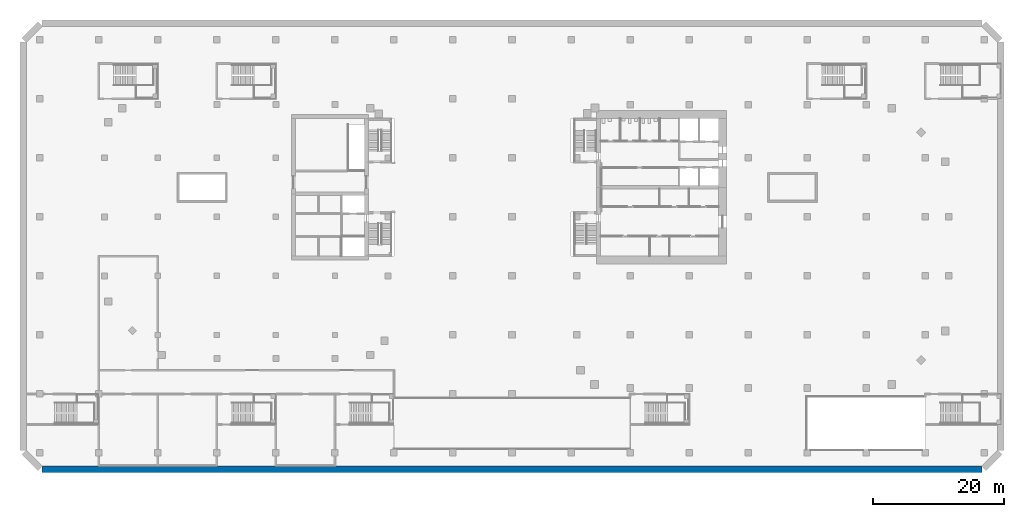
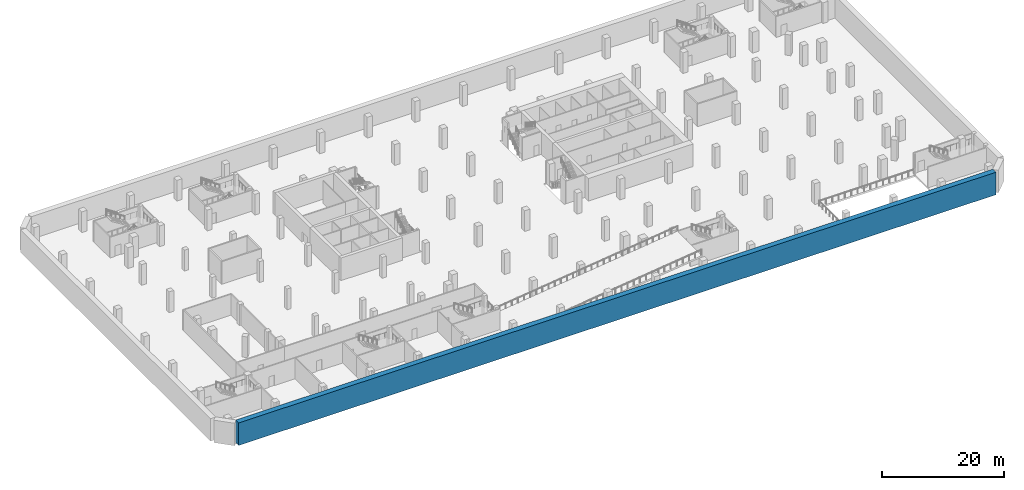
# One storey, part 6 of 16: 1 wall.
"""IFC4 building model written with IfcOpenShell, lengths in metres."""

import ifcopenshell
import ifcopenshell.guid

model = None  # the IFC model being written
_history = None  # IfcOwnerHistory: only IFC2X3 demands one
_inside = {}  # id of a spatial element -> (the spatial element, [elements in it])
_under = {}  # id of a project, library or spatial element -> (it, [spatial elements below it])
_declared = {}  # id of a project -> (the project, [libraries it declares])
_typed = {}  # id of a type object -> (the type object, [elements of that type])
_made_of = {}  # id of a material, layer set ... -> (it, [elements and type objects made of it])


def new_model(schema):
    """Start an empty IFC model of exactly this schema.

    Asked for "IFC4X3", IfcOpenShell would pick the latest addendum, in which some entities
    have other attributes; the version numbers below select the first issue.
    IFC2X3 requires an IfcOwnerHistory on every rooted entity: one is made here for all.
    """
    global model, _history
    if schema == "IFC4X3":
        model = ifcopenshell.file(schema_version=(4, 3, 0, 0))
    else:
        model = ifcopenshell.file(schema=schema)
    _inside.clear()
    _under.clear()
    _declared.clear()
    _typed.clear()
    _made_of.clear()
    _history = None
    if model.schema == "IFC2X3":
        org = make("IfcOrganization", Name="unknown")
        user = make(
            "IfcPersonAndOrganization",
            ThePerson=make("IfcPerson", FamilyName="unknown"),
            TheOrganization=org,
        )
        app = make(
            "IfcApplication",
            ApplicationDeveloper=org,
            Version="unknown",
            ApplicationFullName="unknown",
            ApplicationIdentifier="unknown",
        )
        _history = make(
            "IfcOwnerHistory",
            OwningUser=user,
            OwningApplication=app,
            ChangeAction="ADDED",
            CreationDate=0,
        )
    return model


def make(cls, **values):
    """One entity of the class cls with the attributes given. An attribute that is None is left unset."""
    return model.create_entity(
        cls, **{name: value for name, value in values.items() if value is not None}
    )


def rooted(cls, **values):
    """An entity with a GlobalId (a new one), such as an element, a storey or a relation."""
    return make(cls, GlobalId=ifcopenshell.guid.new(), OwnerHistory=_history, **values)


def si_unit(unit_type, name, prefix=None):
    """IfcSIUnit, for example si_unit("LENGTHUNIT", "METRE", prefix="MILLI")."""
    return make("IfcSIUnit", UnitType=unit_type, Prefix=prefix, Name=name)


def assignment(units):
    """IfcUnitAssignment: the units of a project."""
    return None if units is None else make("IfcUnitAssignment", Units=units)


def point(xyz):
    """IfcCartesianPoint."""
    return None if xyz is None else make("IfcCartesianPoint", Coordinates=xyz)


def direction(xyz):
    """IfcDirection."""
    return None if xyz is None else make("IfcDirection", DirectionRatios=xyz)


def frame(location, z_axis=None, x_axis=None):
    """IfcAxis2Placement3D, a coordinate frame: its origin and axes. An axis left out is left unset."""
    return make(
        "IfcAxis2Placement3D",
        Location=point(location),
        Axis=direction(z_axis),
        RefDirection=direction(x_axis),
    )


def frame_2d(location, x_axis=None):
    """IfcAxis2Placement2D, a coordinate frame in the plane: its origin and x axis."""
    return make(
        "IfcAxis2Placement2D", Location=point(location), RefDirection=direction(x_axis)
    )


def origin():
    """The frame at (0, 0, 0) with its axes left unset."""
    return frame((0.0, 0.0, 0.0))


def place(relative_to, where):
    """IfcLocalPlacement: puts the frame where relative to a parent placement (None: the world)."""
    return make(
        "IfcLocalPlacement", PlacementRelTo=relative_to, RelativePlacement=where
    )


def context(
    kind, dimensions, precision=None, world=None, true_north=None, identifier=None
):
    """IfcGeometricRepresentationContext, for example the 3D "Model" context."""
    return make(
        "IfcGeometricRepresentationContext",
        ContextIdentifier=identifier,
        ContextType=kind,
        CoordinateSpaceDimension=dimensions,
        Precision=precision,
        WorldCoordinateSystem=world,
        TrueNorth=true_north,
    )


def subcontext(parent, identifier, kind, view, scale=None):
    """IfcGeometricRepresentationSubContext, for example "Body" below "Model"."""
    return make(
        "IfcGeometricRepresentationSubContext",
        ContextIdentifier=identifier,
        ContextType=kind,
        ParentContext=parent,
        TargetScale=scale,
        TargetView=view,
    )


def project(units=None, contexts=None):
    """IfcProject with its units and contexts."""
    return rooted(
        "IfcProject",
        Name="project",
        RepresentationContexts=contexts,
        UnitsInContext=assignment(units),
    )


def spatial(cls, under=None, at=None, **own):
    """A site, building, storey or space (cls), placed at a placement, below another one or the project."""
    s = rooted(cls, ObjectPlacement=at, **own)
    if under is not None:
        _under.setdefault(under.id(), (under, []))[1].append(s)
    return s


def profile(cls, at=None, kind="AREA", **sizes):
    """A parametric profile (cls). Its sizes go by their IFC names, for example OverallWidth=200.0."""
    return make(cls, ProfileType=kind, Position=at, **sizes)


def rectangle(**sizes):
    """IfcRectangleProfileDef."""
    return profile("IfcRectangleProfileDef", **sizes)


def extrude(swept, where, along, depth):
    """IfcExtrudedAreaSolid: the profile swept, set in the frame where, extruded along a direction by depth."""
    return make(
        "IfcExtrudedAreaSolid",
        SweptArea=swept,
        Position=where,
        ExtrudedDirection=direction(along),
        Depth=depth,
    )


def shape(context_of_items, identifier, shape_type, items):
    """IfcShapeRepresentation: the items that make up one representation, for example the "Body"."""
    return make(
        "IfcShapeRepresentation",
        ContextOfItems=context_of_items,
        RepresentationIdentifier=identifier,
        RepresentationType=shape_type,
        Items=items,
    )


def material(Name=None, Category=None):
    """IfcMaterial."""
    return make("IfcMaterial", Name=Name, Category=Category)


def layer(
    of_material, thickness, ventilated=None, Name=None, Category=None, Priority=None
):
    """IfcMaterialLayer: one layer of a wall or slab, of a material (None: an air gap)."""
    return make(
        "IfcMaterialLayer",
        Material=of_material,
        LayerThickness=thickness,
        IsVentilated=ventilated,
        Name=Name,
        Category=Category,
        Priority=Priority,
    )


def layer_set(layers, Name=None):
    """IfcMaterialLayerSet."""
    return make("IfcMaterialLayerSet", MaterialLayers=layers, LayerSetName=Name)


def made_of(thing, what):
    """Note that an element or type object is made of a material, layer set ...; save() writes the relation."""
    if what is not None:
        _made_of.setdefault(what.id(), (what, []))[1].append(thing)
    return thing


def type_object(cls, material=None, **own):
    """A type object (cls), such as IfcWallType, which elements share."""
    return made_of(rooted(cls, **own), material)


def element(
    cls,
    number,
    at=None,
    inside=None,
    cuts=None,
    type_object=None,
    material=None,
    context=None,
    identifier="Body",
    shape_type=None,
    held_by="IfcProductDefinitionShape",
    body=None,
    shapes=None,
    **own,
):
    """One element of the class cls, such as IfcWall. Its Tag is "e" and its number.

    at: its placement. inside: the storey or other place that contains it. cuts: it is an
    opening in that element (IfcRelVoidsElement). A single representation is given by context,
    identifier, shape_type and body (its items); several are given by shapes. held_by: the class
    of the entity that holds the representations. save() writes the other relations.
    """
    e = rooted(cls, Tag="e%d" % number, ObjectPlacement=at, **own)
    if body is not None:
        shapes = [shape(context, identifier, shape_type, body)]
    if shapes is not None:
        e.Representation = make(held_by, Representations=shapes)
    if inside is not None:
        _inside.setdefault(inside.id(), (inside, []))[1].append(e)
    if cuts is not None:
        rooted(
            "IfcRelVoidsElement", RelatingBuildingElement=cuts, RelatedOpeningElement=e
        )
    if type_object is not None:
        _typed.setdefault(type_object.id(), (type_object, []))[1].append(e)
    return made_of(e, material)


def aggregate(whole, parts):
    """IfcRelAggregates: a whole, such as a stair, and the parts it consists of."""
    return rooted("IfcRelAggregates", RelatingObject=whole, RelatedObjects=parts)


def save(model, path):
    """Write the relations noted so far, then the file.

    IfcRelAggregates (storeys below a building ...), IfcRelContainedInSpatialStructure (elements
    in a storey), IfcRelDefinesByType, IfcRelAssociatesMaterial and IfcRelDeclares: one each for
    every whole, place, type object, material and project.
    """
    for whole, parts in _under.values():
        aggregate(whole, parts)
    for where, things in _inside.values():
        rooted(
            "IfcRelContainedInSpatialStructure",
            RelatedElements=things,
            RelatingStructure=where,
        )
    for kind, things in _typed.values():
        rooted("IfcRelDefinesByType", RelatedObjects=things, RelatingType=kind)
    for what, things in _made_of.values():
        rooted("IfcRelAssociatesMaterial", RelatedObjects=things, RelatingMaterial=what)
    for by, libraries in _declared.values():
        rooted("IfcRelDeclares", RelatingContext=by, RelatedDefinitions=libraries)
    model.write(path)


model = new_model("IFC4")

# Units and contexts
model_context = context("Model", 3, precision=1e-05, world=origin(), true_north=direction((0.0, 1.0)))
body_context = subcontext(model_context, "Body", "Model", "MODEL_VIEW")
ifc_project = project(units=[si_unit("LENGTHUNIT", "METRE"), si_unit("AREAUNIT", "SQUARE_METRE"), si_unit("VOLUMEUNIT", "CUBIC_METRE"), si_unit("PLANEANGLEUNIT", "RADIAN"), si_unit("MASSUNIT", "GRAM", prefix="KILO")], contexts=[model_context])

# Site, building, storey
site_placement = place(None, origin())
site = spatial("IfcSite", under=ifc_project, at=site_placement, CompositionType="ELEMENT")
building_placement = place(site_placement, origin())
building = spatial("IfcBuilding", under=site, at=building_placement, Name="Cinnabar Reach Civic Tower", CompositionType="ELEMENT")
storey_placement = place(building_placement, frame((0.0, 0.0, -9.5)))
storey = spatial("IfcBuildingStorey", under=building, at=storey_placement, Name="B2", CompositionType="ELEMENT", Elevation=-9.5)

# Wall
ifc_material = material(Name="Concrete C70", Category="concrete")
ifc_layer = layer(ifc_material, 1.0)
ifc_layer_set = layer_set([ifc_layer], Name="Basement wall 1000 EI 180")
wall_type = type_object("IfcWallType", Name="Basement wall 1000 EI 180", PredefinedType="SOLIDWALL", material=ifc_layer_set)
wall_placement = place(storey_placement, frame((62.6408, -11.5, 0.0), z_axis=(0.0, 0.0, 1.0), x_axis=(-1.0, 0.0, 0.0)))
element("IfcWall", 1, at=wall_placement, inside=storey, type_object=wall_type, Name="Basement wall B2 8", PredefinedType="SOLIDWALL", context=body_context, shape_type="SweptSolid", body=[
    extrude(rectangle(XDim=143.2816, YDim=1.0, at=frame_2d((71.6408, 0.0))), origin(), (0.0, 0.0, 1.0), 4.5),
])

save(model, "model.ifc")
